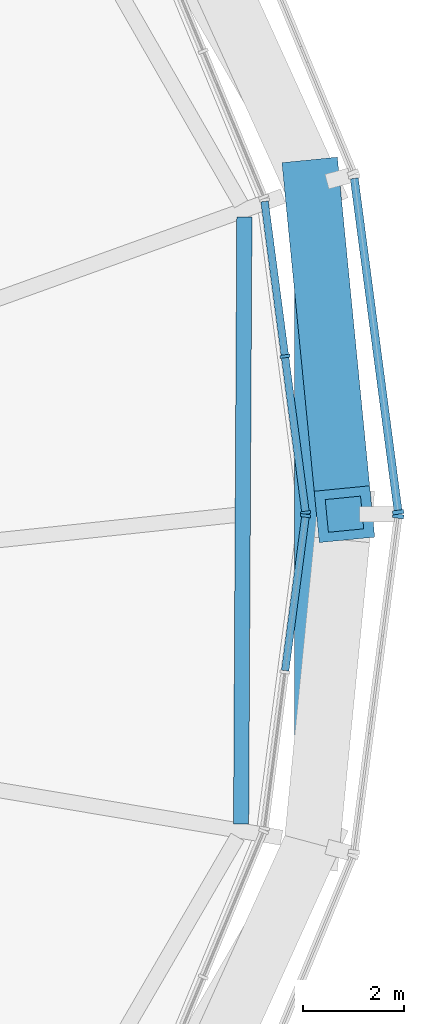
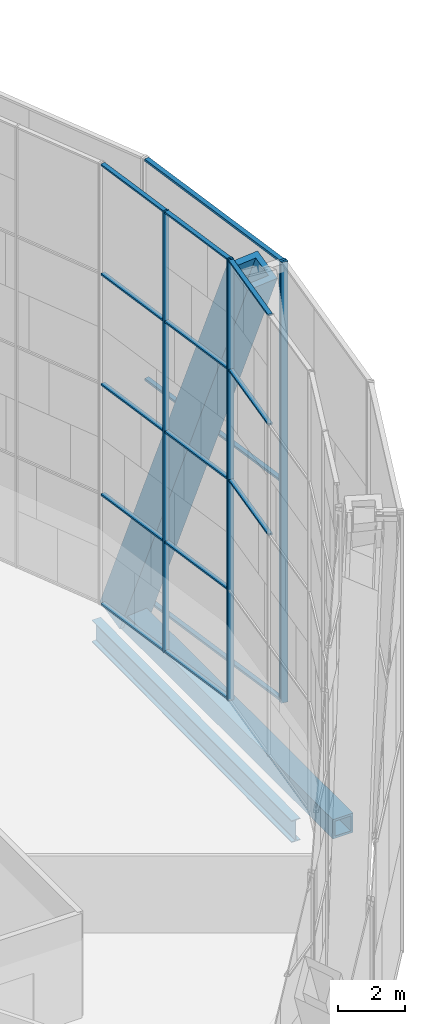
# One storey, part 7 of 30: 22 members, 2 beams, 4 elements without a shape of their own.
"""IFC4 building model written with IfcOpenShell, lengths in metres."""

from ifc_helpers import new_model, si_unit, direction, frame, origin, origin_2d, place, context, subcontext, project, spatial, rectangle, hollow_rectangle, i_section, extrude, material, material_profile, profile_set, type_object, element, aggregate, save


model = new_model("IFC4")

# Units and contexts
model_context = context("Model", 3, precision=1e-05, world=origin(), true_north=direction((0.0, 1.0)))
body_context = subcontext(model_context, "Body", "Model", "MODEL_VIEW")
ifc_project = project(units=[si_unit("LENGTHUNIT", "METRE"), si_unit("AREAUNIT", "SQUARE_METRE"), si_unit("VOLUMEUNIT", "CUBIC_METRE"), si_unit("PLANEANGLEUNIT", "RADIAN"), si_unit("MASSUNIT", "GRAM", prefix="KILO")], contexts=[model_context])

# Site, building, storey
site_placement = place(None, origin())
site = spatial("IfcSite", under=ifc_project, at=site_placement, CompositionType="ELEMENT")
building_placement = place(site_placement, origin())
building = spatial("IfcBuilding", under=site, at=building_placement, Name="Golbaran Civic Tower", CompositionType="ELEMENT")
storey_placement = place(building_placement, frame((0.0, 0.0, 167.0)))
storey = spatial("IfcBuildingStorey", under=building, at=storey_placement, Name="L40", CompositionType="ELEMENT", Elevation=167.0)

# Member
ifc_material_1 = material(Name="Steel S355", Category="steel")
ifc_material_profile_1 = material_profile(ifc_material_1, hollow_rectangle(XDim=1.10009765625, YDim=1.10009765625, WallThickness=0.199951171875, at=origin_2d()), Name="BOX 1100x1100x200")
ifc_profile_set_1 = profile_set([ifc_material_profile_1], Name="Steel S355")
member_type_1 = type_object("IfcMemberType", Name="DIAGRID DIAGONAL BOX 1100x1100x200", PredefinedType="BRACE", material=ifc_profile_set_1)
member_1_placement = place(storey_placement, frame((24.208984375, 6.48681640625, -0.7099609375), z_axis=(0.036924758011, -0.375465296726, 0.92610062801), x_axis=(0.995199025812, 0.097871849998, 0.0)))
element("IfcMember", 1, at=member_1_placement, inside=storey, type_object=member_type_1, Name="Diagonal D09-00L L40-L44", PredefinedType="BRACE", context=body_context, shape_type="SweptSolid", body=[
    extrude(hollow_rectangle(XDim=1.10009765625, YDim=1.10009765625, WallThickness=0.199951171875, at=origin_2d()), origin(), (0.0, 0.0, 1.0), 17.27685546875),
])

# Beams
ifc_material_profile_2 = material_profile(ifc_material_1, hollow_rectangle(XDim=0.699951171875, YDim=0.699951171875, WallThickness=0.080078125, at=origin_2d()), Name="BOX 700x700x80")
ifc_profile_set_2 = profile_set([ifc_material_profile_2], Name="Steel S355")
beam_type_1 = type_object("IfcBeamType", Name="DIAGRID RING TIE BOX 700x700x80", PredefinedType="BEAM", material=ifc_profile_set_2)
beam_1_placement = place(storey_placement, frame((24.208984375, -6.48681640625, -0.7099609375), z_axis=(0.0, 1.0, 0.0), x_axis=(-1.0, 0.0, 0.0)))
element("IfcBeam", 2, at=beam_1_placement, inside=storey, type_object=beam_type_1, Name="Ring tie 345.00 L40", PredefinedType="BEAM", context=body_context, shape_type="SweptSolid", body=[
    extrude(hollow_rectangle(XDim=0.699951171875, YDim=0.699951171875, WallThickness=0.080078125, at=origin_2d()), origin(), (0.0, 0.0, 1.0), 12.9736328125),
])
ifc_material_profile_3 = material_profile(ifc_material_1, i_section(OverallWidth=0.300048828125, OverallDepth=0.800048828125, WebThickness=0.017578125, FlangeThickness=0.032958984375, FilletRadius=0.030029296875, at=origin_2d()), Name="HEB 800")
ifc_profile_set_3 = profile_set([ifc_material_profile_3], Name="Steel S355")
beam_type_2 = type_object("IfcBeamType", Name="EDGE BEAM HEB 800", PredefinedType="BEAM", material=ifc_profile_set_3)
beam_2_placement = place(storey_placement, frame((22.806640625, -6.11865234375, -0.60009765625), z_axis=(0.005377799601, 0.999985539531, 0.0), x_axis=(-0.999985539531, 0.005377799601, 0.0)))
element("IfcBeam", 3, at=beam_2_placement, inside=storey, type_object=beam_type_2, Name="Edge beam 345.00 L40", PredefinedType="BEAM", context=body_context, shape_type="SweptSolid", body=[
    extrude(i_section(OverallWidth=0.300048828125, OverallDepth=0.800048828125, WebThickness=0.017578125, FlangeThickness=0.032958984375, FilletRadius=0.030029296875, at=origin_2d()), origin(), (0.0, 0.0, 1.0), 11.985107421875),
])

# Curtain wall, members
ifc_material_2 = material(Name="Aluminium and glass", Category="aluminium")
curtain_wall_type_1 = type_object("IfcCurtainWallType", Name="INNER SKIN CURTAIN WALL EXECUTIVE", PredefinedType="NOTDEFINED", material=ifc_material_2)
curtain_wall_1_placement = place(storey_placement, origin())
curtain_wall_1 = element("IfcCurtainWall", 4, at=curtain_wall_1_placement, inside=storey, type_object=curtain_wall_type_1, Name="Inner skin L40 facet 1 CW2", ObjectType="INNER SKIN", PredefinedType="USERDEFINED")
ifc_material_3 = material(Name="Aluminium", Category="aluminium")
ifc_material_profile_4 = material_profile(ifc_material_3, rectangle(XDim=0.199951171875, YDim=0.06005859375, at=origin_2d()), Name="INNER SKIN CURTAIN WALL EXECUTIVE MULLION")
ifc_profile_set_4 = profile_set([ifc_material_profile_4], Name="Aluminium")
member_type_2 = type_object("IfcMemberType", Name="INNER SKIN CURTAIN WALL EXECUTIVE MULLION", PredefinedType="MULLION", material=ifc_profile_set_4)
member_2_placement = place(storey_placement, frame((24.0791015625, 0.02978515625, 0.0), z_axis=(0.0, 0.0, 1.0), x_axis=(-0.991444861383, -0.130526192151, 0.0)))
member_2 = element("IfcMember", 5, at=member_2_placement, type_object=member_type_2, Name="CW2 mullion 1", PredefinedType="MULLION", context=body_context, shape_type="SweptSolid", body=[
    extrude(rectangle(XDim=0.199951171875, YDim=0.06005859375, at=origin_2d()), origin(), (0.0, 0.0, 1.0), 16.0),
])
member_3_placement = place(storey_placement, frame((23.672607421875, 3.116455078125, 0.0), z_axis=(0.0, 0.0, 1.0), x_axis=(-0.991444861383, -0.130526192151, 0.0)))
member_3 = element("IfcMember", 6, at=member_3_placement, type_object=member_type_2, Name="CW2 mullion 2", PredefinedType="MULLION", context=body_context, shape_type="SweptSolid", body=[
    extrude(rectangle(XDim=0.199951171875, YDim=0.06005859375, at=origin_2d()), origin(), (0.0, 0.0, 1.0), 16.0),
])

# Curtain wall, member
curtain_wall_2_placement = place(storey_placement, origin())
curtain_wall_2 = element("IfcCurtainWall", 7, at=curtain_wall_2_placement, inside=storey, type_object=curtain_wall_type_1, Name="Inner skin L40 facet 24 CW2", ObjectType="INNER SKIN", PredefinedType="USERDEFINED")
member_4_placement = place(storey_placement, frame((24.0791015625, -0.02978515625, 0.0), z_axis=(0.0, 0.0, 1.0), x_axis=(-0.991444861383, 0.130526192151, 0.0)))
member_4 = element("IfcMember", 8, at=member_4_placement, type_object=member_type_2, Name="CW2 mullion 3", PredefinedType="MULLION", context=body_context, shape_type="SweptSolid", body=[
    extrude(rectangle(XDim=0.199951171875, YDim=0.06005859375, at=origin_2d()), origin(), (0.0, 0.0, 1.0), 16.0),
])

# Member
ifc_material_profile_5 = material_profile(ifc_material_3, rectangle(XDim=0.14990234375, YDim=0.06005859375, at=origin_2d()), Name="INNER SKIN CURTAIN WALL EXECUTIVE TRANSOM")
ifc_profile_set_5 = profile_set([ifc_material_profile_5], Name="Aluminium")
member_type_3 = type_object("IfcMemberType", Name="INNER SKIN CURTAIN WALL EXECUTIVE TRANSOM", PredefinedType="USERDEFINED", material=ifc_profile_set_5)
member_5_placement = place(storey_placement, frame((24.0751953125, 0.0595703125, 0.030029296875), z_axis=(-0.130566198103, 0.991439593678, 0.0), x_axis=(-0.991439593678, -0.130566198103, 0.0)))
member_5 = element("IfcMember", 9, at=member_5_placement, type_object=member_type_3, Name="CW2 transom 1.1", ObjectType="TRANSOM", PredefinedType="USERDEFINED", context=body_context, shape_type="SweptSolid", body=[
    extrude(rectangle(XDim=0.14990234375, YDim=0.06005859375, at=origin_2d()), origin(), (0.0, 0.0, 1.0), 3.053466796875),
])

member_6_placement = place(storey_placement, frame((24.0751953125, 0.0595703125, 4.0), z_axis=(-0.130566198103, 0.991439593678, 0.0), x_axis=(-0.991439593678, -0.130566198103, 0.0)))
member_6 = element("IfcMember", 10, at=member_6_placement, type_object=member_type_3, Name="CW2 transom 1.2", ObjectType="TRANSOM", PredefinedType="USERDEFINED", context=body_context, shape_type="SweptSolid", body=[
    extrude(rectangle(XDim=0.14990234375, YDim=0.06005859375, at=origin_2d()), origin(), (0.0, 0.0, 1.0), 3.053466796875),
])

member_7_placement = place(storey_placement, frame((24.0751953125, 0.0595703125, 8.0), z_axis=(-0.130566198103, 0.991439593678, 0.0), x_axis=(-0.991439593678, -0.130566198103, 0.0)))
member_7 = element("IfcMember", 11, at=member_7_placement, type_object=member_type_3, Name="CW2 transom 1.3", ObjectType="TRANSOM", PredefinedType="USERDEFINED", context=body_context, shape_type="SweptSolid", body=[
    extrude(rectangle(XDim=0.14990234375, YDim=0.06005859375, at=origin_2d()), origin(), (0.0, 0.0, 1.0), 3.053466796875),
])

member_8_placement = place(storey_placement, frame((24.0751953125, 0.0595703125, 12.0), z_axis=(-0.130566198103, 0.991439593678, 0.0), x_axis=(-0.991439593678, -0.130566198103, 0.0)))
member_8 = element("IfcMember", 12, at=member_8_placement, type_object=member_type_3, Name="CW2 transom 1.4", ObjectType="TRANSOM", PredefinedType="USERDEFINED", context=body_context, shape_type="SweptSolid", body=[
    extrude(rectangle(XDim=0.14990234375, YDim=0.06005859375, at=origin_2d()), origin(), (0.0, 0.0, 1.0), 3.053466796875),
])

member_9_placement = place(storey_placement, frame((24.0751953125, 0.0595703125, 15.969970703125), z_axis=(-0.130566198103, 0.991439593678, 0.0), x_axis=(-0.991439593678, -0.130566198103, 0.0)))
member_9 = element("IfcMember", 13, at=member_9_placement, type_object=member_type_3, Name="CW2 transom 1.5", ObjectType="TRANSOM", PredefinedType="USERDEFINED", context=body_context, shape_type="SweptSolid", body=[
    extrude(rectangle(XDim=0.14990234375, YDim=0.06005859375, at=origin_2d()), origin(), (0.0, 0.0, 1.0), 3.053466796875),
])

member_10_placement = place(storey_placement, frame((23.668701171875, 3.146240234375, 0.030029296875), z_axis=(-0.130487605099, 0.991449940701, 0.0), x_axis=(-0.991449940701, -0.130487605099, 0.0)))
member_10 = element("IfcMember", 14, at=member_10_placement, type_object=member_type_3, Name="CW2 transom 2.1", ObjectType="TRANSOM", PredefinedType="USERDEFINED", context=body_context, shape_type="SweptSolid", body=[
    extrude(rectangle(XDim=0.14990234375, YDim=0.06005859375, at=origin_2d()), origin(), (0.0, 0.0, 1.0), 3.053466796875),
])

member_11_placement = place(storey_placement, frame((23.668701171875, 3.146240234375, 4.0), z_axis=(-0.130487605099, 0.991449940701, 0.0), x_axis=(-0.991449940701, -0.130487605099, 0.0)))
member_11 = element("IfcMember", 15, at=member_11_placement, type_object=member_type_3, Name="CW2 transom 2.2", ObjectType="TRANSOM", PredefinedType="USERDEFINED", context=body_context, shape_type="SweptSolid", body=[
    extrude(rectangle(XDim=0.14990234375, YDim=0.06005859375, at=origin_2d()), origin(), (0.0, 0.0, 1.0), 3.053466796875),
])

member_12_placement = place(storey_placement, frame((23.668701171875, 3.146240234375, 8.0), z_axis=(-0.130487605099, 0.991449940701, 0.0), x_axis=(-0.991449940701, -0.130487605099, 0.0)))
member_12 = element("IfcMember", 16, at=member_12_placement, type_object=member_type_3, Name="CW2 transom 2.3", ObjectType="TRANSOM", PredefinedType="USERDEFINED", context=body_context, shape_type="SweptSolid", body=[
    extrude(rectangle(XDim=0.14990234375, YDim=0.06005859375, at=origin_2d()), origin(), (0.0, 0.0, 1.0), 3.053466796875),
])

member_13_placement = place(storey_placement, frame((23.668701171875, 3.146240234375, 12.0), z_axis=(-0.130487605099, 0.991449940701, 0.0), x_axis=(-0.991449940701, -0.130487605099, 0.0)))
member_13 = element("IfcMember", 17, at=member_13_placement, type_object=member_type_3, Name="CW2 transom 2.4", ObjectType="TRANSOM", PredefinedType="USERDEFINED", context=body_context, shape_type="SweptSolid", body=[
    extrude(rectangle(XDim=0.14990234375, YDim=0.06005859375, at=origin_2d()), origin(), (0.0, 0.0, 1.0), 3.053466796875),
])

member_14_placement = place(storey_placement, frame((23.668701171875, 3.146240234375, 15.969970703125), z_axis=(-0.130487605099, 0.991449940701, 0.0), x_axis=(-0.991449940701, -0.130487605099, 0.0)))
member_14 = element("IfcMember", 18, at=member_14_placement, type_object=member_type_3, Name="CW2 transom 2.5", ObjectType="TRANSOM", PredefinedType="USERDEFINED", context=body_context, shape_type="SweptSolid", body=[
    extrude(rectangle(XDim=0.14990234375, YDim=0.06005859375, at=origin_2d()), origin(), (0.0, 0.0, 1.0), 3.053466796875),
])

aggregate(curtain_wall_1, [member_2, member_3, member_5, member_6, member_7, member_8, member_9, member_10, member_11, member_12, member_13, member_14])

member_15_placement = place(storey_placement, frame((23.676513671875, -3.0869140625, 8.0), z_axis=(0.130566198103, 0.991439593678, 0.0), x_axis=(-0.991439593678, 0.130566198103, 0.0)))
member_15 = element("IfcMember", 19, at=member_15_placement, type_object=member_type_3, Name="CW2 transom 2.3", ObjectType="TRANSOM", PredefinedType="USERDEFINED", context=body_context, shape_type="SweptSolid", body=[
    extrude(rectangle(XDim=0.14990234375, YDim=0.06005859375, at=origin_2d()), origin(), (0.0, 0.0, 1.0), 3.053466796875),
])

member_16_placement = place(storey_placement, frame((23.676513671875, -3.0869140625, 12.0), z_axis=(0.130566198103, 0.991439593678, 0.0), x_axis=(-0.991439593678, 0.130566198103, 0.0)))
member_16 = element("IfcMember", 20, at=member_16_placement, type_object=member_type_3, Name="CW2 transom 2.4", ObjectType="TRANSOM", PredefinedType="USERDEFINED", context=body_context, shape_type="SweptSolid", body=[
    extrude(rectangle(XDim=0.14990234375, YDim=0.06005859375, at=origin_2d()), origin(), (0.0, 0.0, 1.0), 3.053466796875),
])

member_17_placement = place(storey_placement, frame((23.676513671875, -3.0869140625, 15.969970703125), z_axis=(0.130566198103, 0.991439593678, 0.0), x_axis=(-0.991439593678, 0.130566198103, 0.0)))
member_17 = element("IfcMember", 21, at=member_17_placement, type_object=member_type_3, Name="CW2 transom 2.5", ObjectType="TRANSOM", PredefinedType="USERDEFINED", context=body_context, shape_type="SweptSolid", body=[
    extrude(rectangle(XDim=0.14990234375, YDim=0.06005859375, at=origin_2d()), origin(), (0.0, 0.0, 1.0), 3.053466796875),
])

aggregate(curtain_wall_2, [member_4, member_15, member_16, member_17])

# Curtain wall, member
curtain_wall_type_2 = type_object("IfcCurtainWallType", Name="OUTER SKIN TERRACOTTA SCREEN", PredefinedType="NOTDEFINED", material=ifc_material_2)
curtain_wall_3_placement = place(storey_placement, origin())
curtain_wall_3 = element("IfcCurtainWall", 22, at=curtain_wall_3_placement, inside=storey, type_object=curtain_wall_type_2, Name="Outer skin L40 facet 1 CW3", ObjectType="OUTER SKIN", PredefinedType="USERDEFINED")
ifc_material_profile_6 = material_profile(ifc_material_3, rectangle(XDim=0.219970703125, YDim=0.080078125, at=origin_2d()), Name="OUTER SKIN TERRACOTTA SCREEN MULLION")
ifc_profile_set_6 = profile_set([ifc_material_profile_6], Name="Aluminium")
member_type_4 = type_object("IfcMemberType", Name="OUTER SKIN TERRACOTTA SCREEN MULLION", PredefinedType="MULLION", material=ifc_profile_set_6)
member_18_placement = place(storey_placement, frame((25.90771484375, 0.03955078125, -0.7099609375), z_axis=(0.0, 0.0, 1.0), x_axis=(-0.991444861381, -0.130526192168, 0.0)))
member_18 = element("IfcMember", 23, at=member_18_placement, type_object=member_type_4, Name="CW3 mullion 1", PredefinedType="MULLION", context=body_context, shape_type="SweptSolid", body=[
    extrude(rectangle(XDim=0.219970703125, YDim=0.080078125, at=origin_2d()), origin(), (0.0, 0.0, 1.0), 16.0),
])

curtain_wall_4_placement = place(storey_placement, origin())
curtain_wall_4 = element("IfcCurtainWall", 24, at=curtain_wall_4_placement, inside=storey, type_object=curtain_wall_type_2, Name="Outer skin L40 facet 24 CW3", ObjectType="OUTER SKIN", PredefinedType="USERDEFINED")
member_19_placement = place(storey_placement, frame((25.90771484375, -0.03955078125, -0.7099609375), z_axis=(0.0, 0.0, 1.0), x_axis=(-0.991444861381, 0.130526192168, 0.0)))
member_19 = element("IfcMember", 25, at=member_19_placement, type_object=member_type_4, Name="CW3 mullion 2", PredefinedType="MULLION", context=body_context, shape_type="SweptSolid", body=[
    extrude(rectangle(XDim=0.219970703125, YDim=0.080078125, at=origin_2d()), origin(), (0.0, 0.0, 1.0), 16.0),
])
aggregate(curtain_wall_4, [member_19])

# Member
ifc_material_profile_7 = material_profile(ifc_material_3, rectangle(XDim=0.159912109375, YDim=0.080078125, at=origin_2d()), Name="OUTER SKIN TERRACOTTA SCREEN TRANSOM")
ifc_profile_set_7 = profile_set([ifc_material_profile_7], Name="Aluminium")
member_type_5 = type_object("IfcMemberType", Name="OUTER SKIN TERRACOTTA SCREEN TRANSOM", PredefinedType="USERDEFINED", material=ifc_profile_set_7)
member_20_placement = place(storey_placement, frame((25.902587890625, 0.079345703125, -0.669921875), z_axis=(-0.130524315936, 0.991445108389, 0.0), x_axis=(-0.991445108389, -0.130524315936, 0.0)))
member_20 = element("IfcMember", 26, at=member_20_placement, type_object=member_type_5, Name="CW3 transom 1.1", ObjectType="TRANSOM", PredefinedType="USERDEFINED", context=body_context, shape_type="SweptSolid", body=[
    extrude(rectangle(XDim=0.159912109375, YDim=0.080078125, at=origin_2d()), origin(), (0.0, 0.0, 1.0), 6.6044921875),
])

member_21_placement = place(storey_placement, frame((25.902587890625, 0.079345703125, 7.2900390625), z_axis=(-0.130524315936, 0.991445108389, 0.0), x_axis=(-0.991445108389, -0.130524315936, 0.0)))
member_21 = element("IfcMember", 27, at=member_21_placement, type_object=member_type_5, Name="CW3 transom 1.2", ObjectType="TRANSOM", PredefinedType="USERDEFINED", context=body_context, shape_type="SweptSolid", body=[
    extrude(rectangle(XDim=0.159912109375, YDim=0.080078125, at=origin_2d()), origin(), (0.0, 0.0, 1.0), 6.6044921875),
])

member_22_placement = place(storey_placement, frame((25.902587890625, 0.079345703125, 15.25), z_axis=(-0.130524315936, 0.991445108389, 0.0), x_axis=(-0.991445108389, -0.130524315936, 0.0)))
member_22 = element("IfcMember", 28, at=member_22_placement, type_object=member_type_5, Name="CW3 transom 1.3", ObjectType="TRANSOM", PredefinedType="USERDEFINED", context=body_context, shape_type="SweptSolid", body=[
    extrude(rectangle(XDim=0.159912109375, YDim=0.080078125, at=origin_2d()), origin(), (0.0, 0.0, 1.0), 6.6044921875),
])

aggregate(curtain_wall_3, [member_18, member_20, member_21, member_22])

save(model, "model.ifc")
